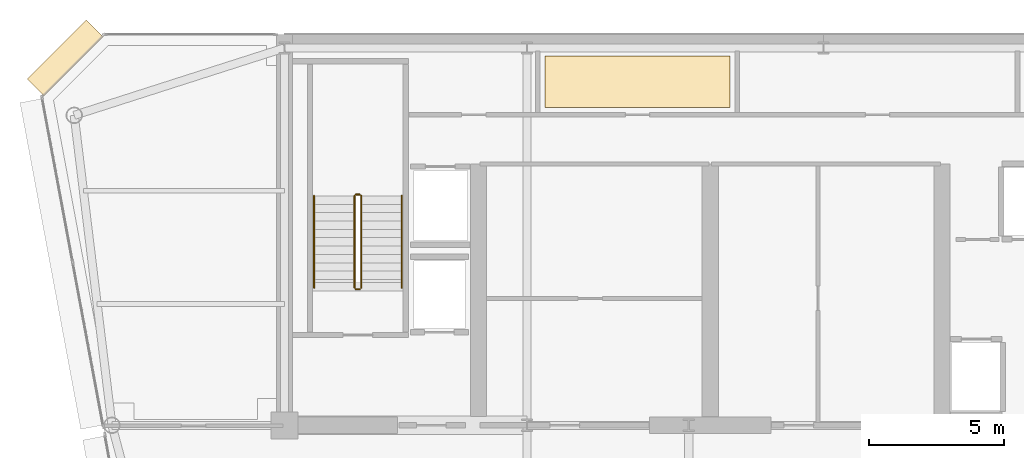
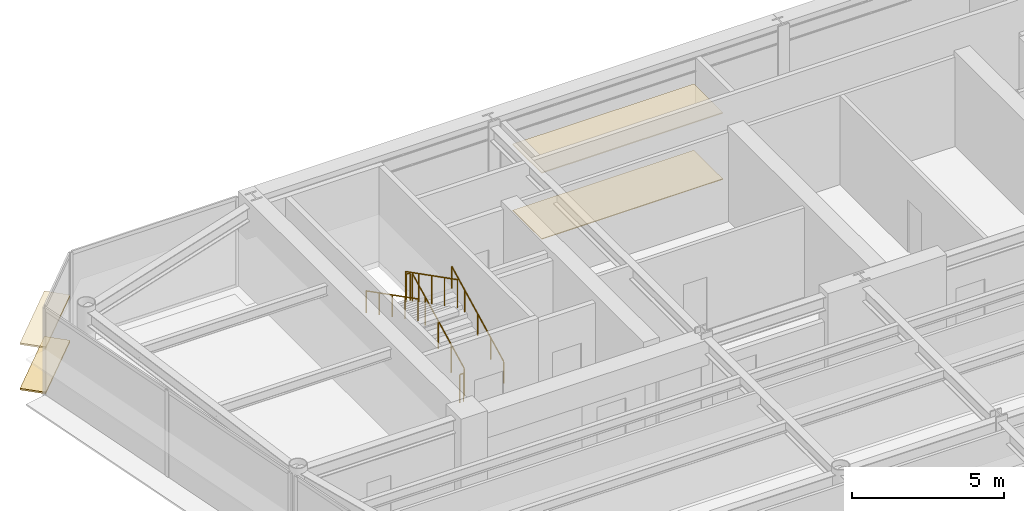
# One storey, part 12 of 14: 6 railings, 4 coverings.
"""IFC4 building model written with IfcOpenShell, lengths in metres."""

from ifc_helpers import new_model, si_unit, direction, frame, origin, origin_2d, place, context, subcontext, project, spatial, polyline, rectangle, circle, outline, extrude, source, transform, mapped, material, layer, layer_set, type_object, element, save


model = new_model("IFC4")

# Units and contexts
model_context = context("Model", 3, precision=1e-05, world=origin(), true_north=direction((0.0, 1.0)))
body_context = subcontext(model_context, "Body", "Model", "MODEL_VIEW")
ifc_project = project(units=[si_unit("LENGTHUNIT", "METRE"), si_unit("AREAUNIT", "SQUARE_METRE"), si_unit("VOLUMEUNIT", "CUBIC_METRE"), si_unit("PLANEANGLEUNIT", "RADIAN"), si_unit("MASSUNIT", "GRAM", prefix="KILO")], contexts=[model_context])

# Site, building, storey
site_placement = place(None, origin())
site = spatial("IfcSite", under=ifc_project, at=site_placement, CompositionType="ELEMENT")
building_placement = place(site_placement, origin())
building = spatial("IfcBuilding", under=site, at=building_placement, Name="Vaeldorn Concourse Tower", CompositionType="ELEMENT")
storey_placement = place(building_placement, frame((0.0, 0.0, 238.39990234375)))
storey = spatial("IfcBuildingStorey", under=building, at=storey_placement, Name="L61", CompositionType="ELEMENT", Elevation=238.39990234375)

# Coverings
ifc_material_1 = material(Name="Acoustic Mineral Fibre Board", Category="gypsum")
ifc_layer_1 = layer(ifc_material_1, 0.0400390625)
ifc_layer_set_1 = layer_set([ifc_layer_1], Name="Acoustic Mineral Fibre Board")
covering_type_1 = type_object("IfcCoveringType", Name="COV-CEIL-ACOUSTIC", PredefinedType="CEILING", material=ifc_layer_set_1)
covering_1_placement = place(storey_placement, frame((0.0, 0.0, 2.650146484375)))
element("IfcCovering", 1, at=covering_1_placement, inside=storey, type_object=covering_type_1, Name="Suspended Acoustic Ceiling L61-2", PredefinedType="CEILING", context=body_context, shape_type="SweptSolid", body=[
    extrude(outline(polyline([(30.5400390625, 50.199951171875), (30.5400390625, 48.300048828125), (23.659912109375, 48.300048828125), (23.659912109375, 50.199951171875), (30.5400390625, 50.199951171875)])), origin(), (0.0, 0.0, 1.0), 0.0400390625),
])
ifc_material_2 = material(Name="Honed Limestone Terrazzo Flooring", Category="masonry")
ifc_layer_2 = layer(ifc_material_2, 0.0400390625)
ifc_layer_set_2 = layer_set([ifc_layer_2], Name="Honed Limestone Terrazzo Flooring")
covering_type_2 = type_object("IfcCoveringType", Name="COV-FLOOR-STONE", PredefinedType="FLOORING", material=ifc_layer_set_2)
covering_2_placement = place(storey_placement, origin())
element("IfcCovering", 2, at=covering_2_placement, inside=storey, type_object=covering_type_2, Name="Floor Finish Covering L61-2", PredefinedType="FLOORING", context=body_context, shape_type="SweptSolid", body=[
    extrude(outline(polyline([(30.5400390625, 50.199951171875), (30.5400390625, 48.300048828125), (23.659912109375, 48.300048828125), (23.659912109375, 50.199951171875), (30.5400390625, 50.199951171875)])), origin(), (0.0, 0.0, 1.0), 0.030029296875),
])

# Railings
ifc_material_3 = material(Name="Anodised Bronze Aluminium", Category="aluminium")
railing_type_1 = type_object("IfcRailingType", Name="RL-STAIR-GUARD", PredefinedType="GUARDRAIL", material=ifc_material_3)
railing_1_placement = place(storey_placement, frame((16.85009765625, 41.60009765625, 0.158447265625)))
element("IfcRailing", 3, at=railing_1_placement, inside=storey, type_object=railing_type_1, Name="L61 ST-1 stair guard 1", PredefinedType="GUARDRAIL", context=body_context, shape_type="SweptSolid", body=[
    extrude(circle(Radius=0.02392578125, at=origin_2d()), frame((0.0, 0.0, 1.1259765625), z_axis=(0.0, 0.890555807335, 0.454873997962), x_axis=(-1.0, 0.0, 0.0)), (0.0, 0.0, 1.0), 3.828857421875),
    extrude(circle(Radius=0.02099609375, at=origin_2d()), origin(), (0.0, 0.0, 1.0), 1.101806640625),
    extrude(circle(Radius=0.02099609375, at=origin_2d()), frame((0.0, 0.8525390625, 0.435546875)), (0.0, 0.0, 1.0), 1.101806640625),
    extrude(circle(Radius=0.02099609375, at=origin_2d()), frame((0.0, 1.705078125, 0.870849609375)), (0.0, 0.0, 1.0), 1.101806640625),
    extrude(circle(Radius=0.02099609375, at=origin_2d()), frame((0.0, 2.557373046875, 1.30615234375)), (0.0, 0.0, 1.0), 1.101806640625),
    extrude(circle(Radius=0.02099609375, at=origin_2d()), frame((0.0, 3.409912109375, 1.74169921875)), (0.0, 0.0, 1.0), 1.101806640625),
])
railing_2_placement = place(storey_placement, frame((16.800048828125, 45.06005859375, 1.900146484375)))
element("IfcRailing", 4, at=railing_2_placement, inside=storey, type_object=railing_type_1, Name="L61 ST-1 stair guard 2", PredefinedType="GUARDRAIL", context=body_context, shape_type="SweptSolid", body=[
    extrude(circle(Radius=0.02392578125, at=origin_2d()), frame((0.0, 0.0, 1.1259765625), z_axis=(-1.0, 0.0, 0.0), x_axis=(0.0, -1.0, 0.0)), (0.0, 0.0, 1.0), 0.150146484375),
    extrude(circle(Radius=0.02099609375, at=origin_2d()), origin(), (0.0, 0.0, 1.0), 1.101806640625),
    extrude(circle(Radius=0.02099609375, at=origin_2d()), frame((-0.150146484375, 0.0, 0.0)), (0.0, 0.0, 1.0), 1.101806640625),
])
railing_3_placement = place(storey_placement, frame((16.60009765625, 45.010009765625, 2.058349609375)))
element("IfcRailing", 5, at=railing_3_placement, inside=storey, type_object=railing_type_1, Name="L61 ST-1 stair guard 3", PredefinedType="GUARDRAIL", context=body_context, shape_type="SweptSolid", body=[
    extrude(circle(Radius=0.02392578125, at=origin_2d()), frame((0.0, 0.0, 1.1259765625), z_axis=(0.0, -0.890555807335, 0.454873997962), x_axis=(1.0, 0.0, 0.0)), (0.0, 0.0, 1.0), 3.828857421875),
    extrude(circle(Radius=0.02099609375, at=origin_2d()), origin(), (0.0, 0.0, 1.0), 1.101806640625),
    extrude(circle(Radius=0.02099609375, at=origin_2d()), frame((0.0, -0.8525390625, 0.435546875)), (0.0, 0.0, 1.0), 1.101806640625),
    extrude(circle(Radius=0.02099609375, at=origin_2d()), frame((0.0, -1.705078125, 0.870849609375)), (0.0, 0.0, 1.0), 1.101806640625),
    extrude(circle(Radius=0.02099609375, at=origin_2d()), frame((0.0, -2.557373046875, 1.30615234375)), (0.0, 0.0, 1.0), 1.101806640625),
    extrude(circle(Radius=0.02099609375, at=origin_2d()), frame((0.0, -3.409912109375, 1.74169921875)), (0.0, 0.0, 1.0), 1.101806640625),
])
railing_4_placement = place(storey_placement, frame((16.800048828125, 41.550048828125, 0.0)))
element("IfcRailing", 6, at=railing_4_placement, inside=storey, type_object=railing_type_1, Name="L61 ST-1 stair guard 4", PredefinedType="GUARDRAIL", context=body_context, shape_type="SweptSolid", body=[
    extrude(circle(Radius=0.02392578125, at=origin_2d()), frame((0.0, 0.0, 1.1259765625), z_axis=(-1.0, 0.0, 0.0), x_axis=(0.0, -1.0, 0.0)), (0.0, 0.0, 1.0), 0.150146484375),
    extrude(circle(Radius=0.02099609375, at=origin_2d()), origin(), (0.0, 0.0, 1.0), 1.101806640625),
    extrude(circle(Radius=0.02099609375, at=origin_2d()), frame((-0.150146484375, 0.0, 0.0)), (0.0, 0.0, 1.0), 1.101806640625),
])
railing_type_2 = type_object("IfcRailingType", Name="RL-STAIR-HANDRAIL", PredefinedType="HANDRAIL", material=ifc_material_3)
railing_5_placement = place(storey_placement, frame((18.35009765625, 41.60009765625, 0.158447265625)))
element("IfcRailing", 7, at=railing_5_placement, inside=storey, type_object=railing_type_2, Name="L61 ST-1 stair handrail 1", PredefinedType="HANDRAIL", context=body_context, shape_type="SweptSolid", body=[
    extrude(circle(Radius=0.02392578125, at=origin_2d()), frame((0.0, 0.0, 0.8759765625), z_axis=(0.0, 0.890555807335, 0.454873997962), x_axis=(-1.0, 0.0, 0.0)), (0.0, 0.0, 1.0), 3.828857421875),
    extrude(circle(Radius=0.02099609375, at=origin_2d()), origin(), (0.0, 0.0, 1.0), 0.851806640625),
    extrude(circle(Radius=0.02099609375, at=origin_2d()), frame((0.0, 0.8525390625, 0.435546875)), (0.0, 0.0, 1.0), 0.851806640625),
    extrude(circle(Radius=0.02099609375, at=origin_2d()), frame((0.0, 1.705078125, 0.870849609375)), (0.0, 0.0, 1.0), 0.851806640625),
    extrude(circle(Radius=0.02099609375, at=origin_2d()), frame((0.0, 2.557373046875, 1.30615234375)), (0.0, 0.0, 1.0), 0.851806640625),
    extrude(circle(Radius=0.02099609375, at=origin_2d()), frame((0.0, 3.409912109375, 1.74169921875)), (0.0, 0.0, 1.0), 0.851806640625),
])
railing_6_placement = place(storey_placement, frame((15.10009765625, 45.010009765625, 2.058349609375)))
element("IfcRailing", 8, at=railing_6_placement, inside=storey, type_object=railing_type_2, Name="L61 ST-1 stair handrail 2", PredefinedType="HANDRAIL", context=body_context, shape_type="SweptSolid", body=[
    extrude(circle(Radius=0.02392578125, at=origin_2d()), frame((0.0, 0.0, 0.8759765625), z_axis=(0.0, -0.890555807335, 0.454873997962), x_axis=(1.0, 0.0, 0.0)), (0.0, 0.0, 1.0), 3.828857421875),
    extrude(circle(Radius=0.02099609375, at=origin_2d()), origin(), (0.0, 0.0, 1.0), 0.851806640625),
    extrude(circle(Radius=0.02099609375, at=origin_2d()), frame((0.0, -0.8525390625, 0.435546875)), (0.0, 0.0, 1.0), 0.851806640625),
    extrude(circle(Radius=0.02099609375, at=origin_2d()), frame((0.0, -1.705078125, 0.870849609375)), (0.0, 0.0, 1.0), 0.851806640625),
    extrude(circle(Radius=0.02099609375, at=origin_2d()), frame((0.0, -2.557373046875, 1.30615234375)), (0.0, 0.0, 1.0), 0.851806640625),
    extrude(circle(Radius=0.02099609375, at=origin_2d()), frame((0.0, -3.409912109375, 1.74169921875)), (0.0, 0.0, 1.0), 0.851806640625),
])

# Coverings
ifc_layer_3 = layer(ifc_material_3, 0.06494140625)
ifc_layer_set_3 = layer_set([ifc_layer_3], Name="Anodised Bronze Aluminium")
covering_type_3 = type_object("IfcCoveringType", Name="SD-BRONZE-SUNSHADE", PredefinedType="USERDEFINED", material=ifc_layer_set_3)
shared_shape = source(origin(), body_context, "Body", "SweptSolid", [
    extrude(rectangle(XDim=3.0927734375, YDim=0.8798828125, at=origin_2d()), origin(), (0.0, 0.0, 1.0), 0.06494140625),
])
for number, where, z_axis, x_axis, name in (
    (9, (5.8671875, 50.1328125, 0.047607421875), (0.0, 0.0, 1.0), (-0.707106781187, -0.707106781187, 0.0), "Horizontal Bronze Sunshade L61-E10.1.1"),
    (10, (5.8671875, 50.1328125, 1.86767578125), (0.0, 0.0, 1.0), (-0.707106781187, -0.707106781187, 0.0), "Horizontal Bronze Sunshade L61-E10.1.2"),
):
    element("IfcCovering", number, at=place(storey_placement, frame(where, z_axis=z_axis, x_axis=x_axis)), inside=storey, type_object=covering_type_3, Name=name, ObjectType="SUNSHADE", PredefinedType="USERDEFINED", context=body_context, shape_type="MappedRepresentation", body=[
        mapped(shared_shape, transform((0.0, 0.0, 0.0), scale=1.0)),
    ])

save(model, "model.ifc")
